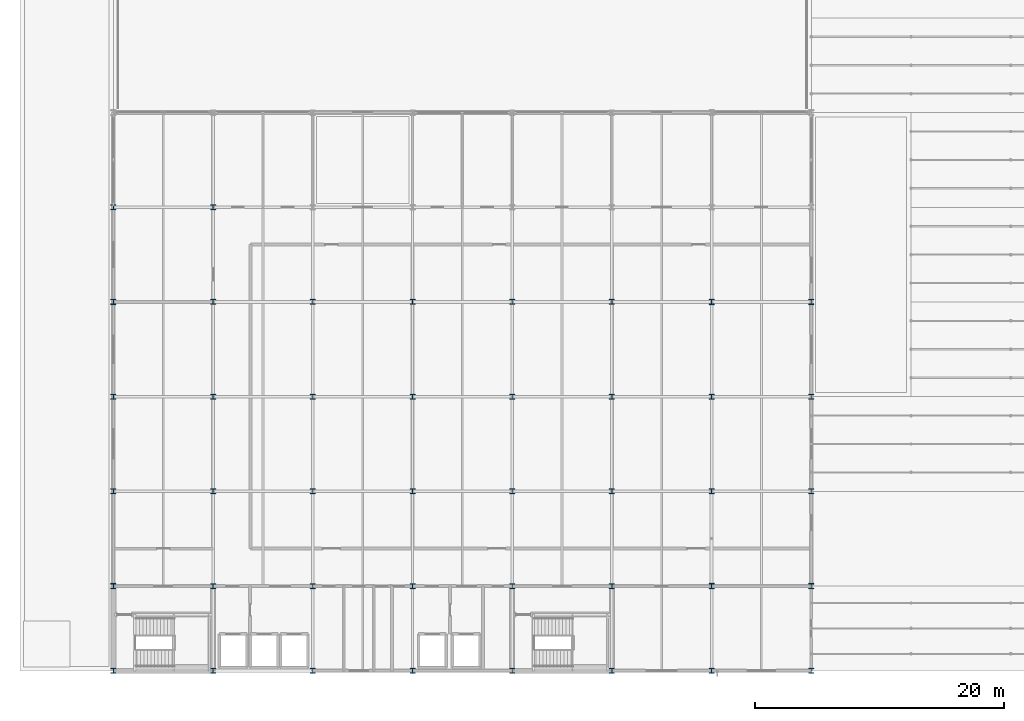
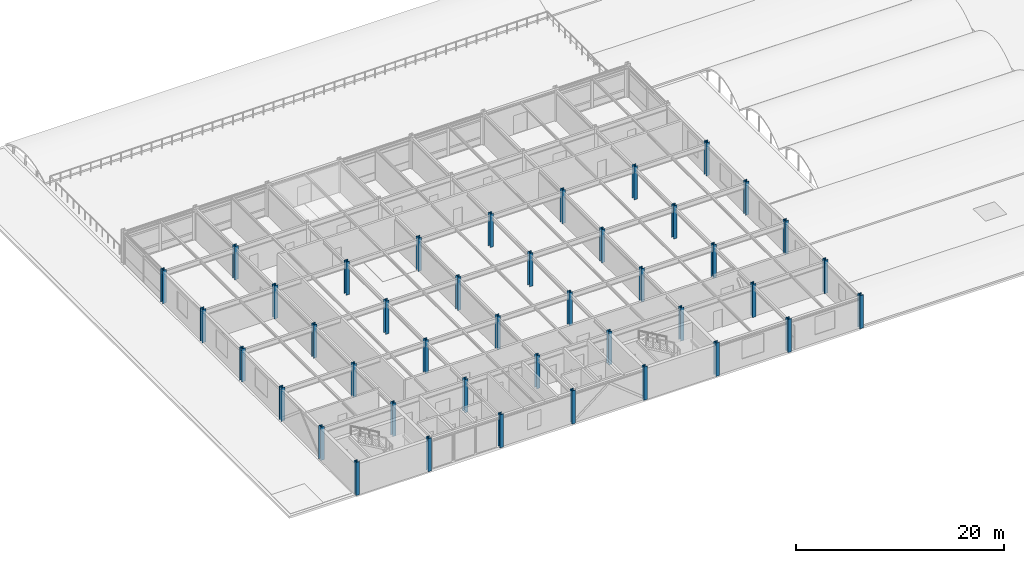
# One storey, part 1 of 46: 42 columns.
"""IFC4 building model written with IfcOpenShell, lengths in metres."""

import ifcopenshell
import ifcopenshell.guid

model = None  # the IFC model being written
_history = None  # IfcOwnerHistory: only IFC2X3 demands one
_inside = {}  # id of a spatial element -> (the spatial element, [elements in it])
_under = {}  # id of a project, library or spatial element -> (it, [spatial elements below it])
_declared = {}  # id of a project -> (the project, [libraries it declares])
_typed = {}  # id of a type object -> (the type object, [elements of that type])
_made_of = {}  # id of a material, layer set ... -> (it, [elements and type objects made of it])


def new_model(schema):
    """Start an empty IFC model of exactly this schema.

    Asked for "IFC4X3", IfcOpenShell would pick the latest addendum, in which some entities
    have other attributes; the version numbers below select the first issue.
    IFC2X3 requires an IfcOwnerHistory on every rooted entity: one is made here for all.
    """
    global model, _history
    if schema == "IFC4X3":
        model = ifcopenshell.file(schema_version=(4, 3, 0, 0))
    else:
        model = ifcopenshell.file(schema=schema)
    _inside.clear()
    _under.clear()
    _declared.clear()
    _typed.clear()
    _made_of.clear()
    _history = None
    if model.schema == "IFC2X3":
        org = make("IfcOrganization", Name="unknown")
        user = make(
            "IfcPersonAndOrganization",
            ThePerson=make("IfcPerson", FamilyName="unknown"),
            TheOrganization=org,
        )
        app = make(
            "IfcApplication",
            ApplicationDeveloper=org,
            Version="unknown",
            ApplicationFullName="unknown",
            ApplicationIdentifier="unknown",
        )
        _history = make(
            "IfcOwnerHistory",
            OwningUser=user,
            OwningApplication=app,
            ChangeAction="ADDED",
            CreationDate=0,
        )
    return model


def make(cls, **values):
    """One entity of the class cls with the attributes given. An attribute that is None is left unset."""
    return model.create_entity(
        cls, **{name: value for name, value in values.items() if value is not None}
    )


def rooted(cls, **values):
    """An entity with a GlobalId (a new one), such as an element, a storey or a relation."""
    return make(cls, GlobalId=ifcopenshell.guid.new(), OwnerHistory=_history, **values)


def si_unit(unit_type, name, prefix=None):
    """IfcSIUnit, for example si_unit("LENGTHUNIT", "METRE", prefix="MILLI")."""
    return make("IfcSIUnit", UnitType=unit_type, Prefix=prefix, Name=name)


def assignment(units):
    """IfcUnitAssignment: the units of a project."""
    return None if units is None else make("IfcUnitAssignment", Units=units)


def point(xyz):
    """IfcCartesianPoint."""
    return None if xyz is None else make("IfcCartesianPoint", Coordinates=xyz)


def direction(xyz):
    """IfcDirection."""
    return None if xyz is None else make("IfcDirection", DirectionRatios=xyz)


def frame(location, z_axis=None, x_axis=None):
    """IfcAxis2Placement3D, a coordinate frame: its origin and axes. An axis left out is left unset."""
    return make(
        "IfcAxis2Placement3D",
        Location=point(location),
        Axis=direction(z_axis),
        RefDirection=direction(x_axis),
    )


def frame_2d(location, x_axis=None):
    """IfcAxis2Placement2D, a coordinate frame in the plane: its origin and x axis."""
    return make(
        "IfcAxis2Placement2D", Location=point(location), RefDirection=direction(x_axis)
    )


def origin():
    """The frame at (0, 0, 0) with its axes left unset."""
    return frame((0.0, 0.0, 0.0))


def origin_2d():
    """The frame at (0, 0) in the plane with its x axis left unset."""
    return frame_2d((0.0, 0.0))


def place(relative_to, where):
    """IfcLocalPlacement: puts the frame where relative to a parent placement (None: the world)."""
    return make(
        "IfcLocalPlacement", PlacementRelTo=relative_to, RelativePlacement=where
    )


def context(
    kind, dimensions, precision=None, world=None, true_north=None, identifier=None
):
    """IfcGeometricRepresentationContext, for example the 3D "Model" context."""
    return make(
        "IfcGeometricRepresentationContext",
        ContextIdentifier=identifier,
        ContextType=kind,
        CoordinateSpaceDimension=dimensions,
        Precision=precision,
        WorldCoordinateSystem=world,
        TrueNorth=true_north,
    )


def subcontext(parent, identifier, kind, view, scale=None):
    """IfcGeometricRepresentationSubContext, for example "Body" below "Model"."""
    return make(
        "IfcGeometricRepresentationSubContext",
        ContextIdentifier=identifier,
        ContextType=kind,
        ParentContext=parent,
        TargetScale=scale,
        TargetView=view,
    )


def project(units=None, contexts=None):
    """IfcProject with its units and contexts."""
    return rooted(
        "IfcProject",
        Name="project",
        RepresentationContexts=contexts,
        UnitsInContext=assignment(units),
    )


def spatial(cls, under=None, at=None, **own):
    """A site, building, storey or space (cls), placed at a placement, below another one or the project."""
    s = rooted(cls, ObjectPlacement=at, **own)
    if under is not None:
        _under.setdefault(under.id(), (under, []))[1].append(s)
    return s


def profile(cls, at=None, kind="AREA", **sizes):
    """A parametric profile (cls). Its sizes go by their IFC names, for example OverallWidth=200.0."""
    return make(cls, ProfileType=kind, Position=at, **sizes)


def i_section(**sizes):
    """IfcIShapeProfileDef."""
    return profile("IfcIShapeProfileDef", **sizes)


def extrude(swept, where, along, depth):
    """IfcExtrudedAreaSolid: the profile swept, set in the frame where, extruded along a direction by depth."""
    return make(
        "IfcExtrudedAreaSolid",
        SweptArea=swept,
        Position=where,
        ExtrudedDirection=direction(along),
        Depth=depth,
    )


def shape(context_of_items, identifier, shape_type, items):
    """IfcShapeRepresentation: the items that make up one representation, for example the "Body"."""
    return make(
        "IfcShapeRepresentation",
        ContextOfItems=context_of_items,
        RepresentationIdentifier=identifier,
        RepresentationType=shape_type,
        Items=items,
    )


def material(Name=None, Category=None):
    """IfcMaterial."""
    return make("IfcMaterial", Name=Name, Category=Category)


def material_profile(
    of_material, cross_section, Name=None, Category=None, Priority=None
):
    """IfcMaterialProfile: a cross section and its material."""
    return make(
        "IfcMaterialProfile",
        Name=Name,
        Material=of_material,
        Profile=cross_section,
        Priority=Priority,
        Category=Category,
    )


def profile_set(profiles, Name=None, composite=None):
    """IfcMaterialProfileSet."""
    return make(
        "IfcMaterialProfileSet",
        Name=Name,
        MaterialProfiles=profiles,
        CompositeProfile=composite,
    )


def made_of(thing, what):
    """Note that an element or type object is made of a material, layer set ...; save() writes the relation."""
    if what is not None:
        _made_of.setdefault(what.id(), (what, []))[1].append(thing)
    return thing


def type_object(cls, material=None, **own):
    """A type object (cls), such as IfcWallType, which elements share."""
    return made_of(rooted(cls, **own), material)


def element(
    cls,
    number,
    at=None,
    inside=None,
    cuts=None,
    type_object=None,
    material=None,
    context=None,
    identifier="Body",
    shape_type=None,
    held_by="IfcProductDefinitionShape",
    body=None,
    shapes=None,
    **own,
):
    """One element of the class cls, such as IfcWall. Its Tag is "e" and its number.

    at: its placement. inside: the storey or other place that contains it. cuts: it is an
    opening in that element (IfcRelVoidsElement). A single representation is given by context,
    identifier, shape_type and body (its items); several are given by shapes. held_by: the class
    of the entity that holds the representations. save() writes the other relations.
    """
    e = rooted(cls, Tag="e%d" % number, ObjectPlacement=at, **own)
    if body is not None:
        shapes = [shape(context, identifier, shape_type, body)]
    if shapes is not None:
        e.Representation = make(held_by, Representations=shapes)
    if inside is not None:
        _inside.setdefault(inside.id(), (inside, []))[1].append(e)
    if cuts is not None:
        rooted(
            "IfcRelVoidsElement", RelatingBuildingElement=cuts, RelatedOpeningElement=e
        )
    if type_object is not None:
        _typed.setdefault(type_object.id(), (type_object, []))[1].append(e)
    return made_of(e, material)


def aggregate(whole, parts):
    """IfcRelAggregates: a whole, such as a stair, and the parts it consists of."""
    return rooted("IfcRelAggregates", RelatingObject=whole, RelatedObjects=parts)


def save(model, path):
    """Write the relations noted so far, then the file.

    IfcRelAggregates (storeys below a building ...), IfcRelContainedInSpatialStructure (elements
    in a storey), IfcRelDefinesByType, IfcRelAssociatesMaterial and IfcRelDeclares: one each for
    every whole, place, type object, material and project.
    """
    for whole, parts in _under.values():
        aggregate(whole, parts)
    for where, things in _inside.values():
        rooted(
            "IfcRelContainedInSpatialStructure",
            RelatedElements=things,
            RelatingStructure=where,
        )
    for kind, things in _typed.values():
        rooted("IfcRelDefinesByType", RelatedObjects=things, RelatingType=kind)
    for what, things in _made_of.values():
        rooted("IfcRelAssociatesMaterial", RelatedObjects=things, RelatingMaterial=what)
    for by, libraries in _declared.values():
        rooted("IfcRelDeclares", RelatingContext=by, RelatedDefinitions=libraries)
    model.write(path)


model = new_model("IFC4")

# Units and contexts
model_context = context("Model", 3, precision=1e-05, world=origin(), true_north=direction((0.0, 1.0)))
body_context = subcontext(model_context, "Body", "Model", "MODEL_VIEW")
ifc_project = project(units=[si_unit("LENGTHUNIT", "METRE"), si_unit("AREAUNIT", "SQUARE_METRE"), si_unit("VOLUMEUNIT", "CUBIC_METRE"), si_unit("PLANEANGLEUNIT", "RADIAN"), si_unit("MASSUNIT", "GRAM", prefix="KILO")], contexts=[model_context])

# Site, building, storey
site_placement = place(None, origin())
site = spatial("IfcSite", under=ifc_project, at=site_placement, CompositionType="ELEMENT")
building_placement = place(site_placement, origin())
building = spatial("IfcBuilding", under=site, at=building_placement, Name="Shalkamar Park Central Library", CompositionType="ELEMENT")
storey_placement = place(building_placement, frame((0.0, 0.0, 20.39990234375)))
storey = spatial("IfcBuildingStorey", under=building, at=storey_placement, Name="L05", CompositionType="ELEMENT", Elevation=20.39990234375)

# Columns
ifc_material = material(Name="Steel S355", Category="steel")
ifc_material_profile_1 = material_profile(ifc_material, i_section(OverallWidth=0.40087890625, OverallDepth=0.39892578125, WebThickness=0.02490234375, FlangeThickness=0.03955078125, FilletRadius=0.014892578125, at=origin_2d()), Name="HD 400x314")
ifc_profile_set_1 = profile_set([ifc_material_profile_1], Name="Steel S355")
column_type_1 = type_object("IfcColumnType", Name="Column Steel HD400x314", PredefinedType="COLUMN", material=ifc_profile_set_1)
for number, where, z_axis, x_axis, name in (
    (1, (173.0, 248.39990234375, 0.0), (0.0, 0.0, 1.0), (1.0, 0.0, 0.0), "Column 08/B (L05)"),
    (2, (173.0, 255.199951171875, 0.0), (0.0, 0.0, 1.0), (1.0, 0.0, 0.0), "Column 08/C (L05)"),
    (3, (173.0, 262.800048828125, 0.0), (0.0, 0.0, 1.0), (1.0, 0.0, 0.0), "Column 08/D (L05)"),
    (4, (173.0, 270.39990234375, 0.0), (0.0, 0.0, 1.0), (1.0, 0.0, 0.0), "Column 08/E (L05)"),
    (5, (173.0, 278.0, 0.0), (0.0, 0.0, 1.0), (1.0, 0.0, 0.0), "Column 08/F (L05)"),
    (6, (173.0, 285.60009765625, 0.0), (0.0, 0.0, 1.0), (1.0, 0.0, 0.0), "Column 08/G (L05)"),
    (7, (181.0, 248.39990234375, 0.0), (0.0, 0.0, 1.0), (1.0, 0.0, 0.0), "Column 09/B (L05)"),
    (8, (181.0, 255.199951171875, 0.0), (0.0, 0.0, 1.0), (1.0, 0.0, 0.0), "Column 09/C (L05)"),
    (9, (181.0, 262.800048828125, 0.0), (0.0, 0.0, 1.0), (1.0, 0.0, 0.0), "Column 09/D (L05)"),
    (10, (181.0, 270.39990234375, 0.0), (0.0, 0.0, 1.0), (1.0, 0.0, 0.0), "Column 09/E (L05)"),
    (11, (181.0, 278.0, 0.0), (0.0, 0.0, 1.0), (1.0, 0.0, 0.0), "Column 09/F (L05)"),
    (12, (189.0, 248.39990234375, 0.0), (0.0, 0.0, 1.0), (1.0, 0.0, 0.0), "Column 10/B (L05)"),
    (13, (189.0, 255.199951171875, 0.0), (0.0, 0.0, 1.0), (1.0, 0.0, 0.0), "Column 10/C (L05)"),
    (14, (189.0, 262.800048828125, 0.0), (0.0, 0.0, 1.0), (1.0, 0.0, 0.0), "Column 10/D (L05)"),
    (15, (189.0, 270.39990234375, 0.0), (0.0, 0.0, 1.0), (1.0, 0.0, 0.0), "Column 10/E (L05)"),
    (16, (189.0, 278.0, 0.0), (0.0, 0.0, 1.0), (1.0, 0.0, 0.0), "Column 10/F (L05)"),
    (17, (197.0, 248.39990234375, 0.0), (0.0, 0.0, 1.0), (1.0, 0.0, 0.0), "Column 11/B (L05)"),
    (18, (197.0, 255.199951171875, 0.0), (0.0, 0.0, 1.0), (1.0, 0.0, 0.0), "Column 11/C (L05)"),
    (19, (197.0, 262.800048828125, 0.0), (0.0, 0.0, 1.0), (1.0, 0.0, 0.0), "Column 11/D (L05)"),
    (20, (197.0, 270.39990234375, 0.0), (0.0, 0.0, 1.0), (1.0, 0.0, 0.0), "Column 11/E (L05)"),
    (21, (197.0, 278.0, 0.0), (0.0, 0.0, 1.0), (1.0, 0.0, 0.0), "Column 11/F (L05)"),
    (22, (205.0, 248.39990234375, 0.0), (0.0, 0.0, 1.0), (1.0, 0.0, 0.0), "Column 12/B (L05)"),
    (23, (205.0, 255.199951171875, 0.0), (0.0, 0.0, 1.0), (1.0, 0.0, 0.0), "Column 12/C (L05)"),
    (24, (205.0, 262.800048828125, 0.0), (0.0, 0.0, 1.0), (1.0, 0.0, 0.0), "Column 12/D (L05)"),
    (25, (205.0, 270.39990234375, 0.0), (0.0, 0.0, 1.0), (1.0, 0.0, 0.0), "Column 12/E (L05)"),
    (26, (205.0, 278.0, 0.0), (0.0, 0.0, 1.0), (1.0, 0.0, 0.0), "Column 12/F (L05)"),
):
    element("IfcColumn", number, at=place(storey_placement, frame(where, z_axis=z_axis, x_axis=x_axis)), inside=storey, type_object=column_type_1, Name=name, PredefinedType="COLUMN", context=body_context, shape_type="SweptSolid", body=[
        extrude(i_section(OverallWidth=0.40087890625, OverallDepth=0.39892578125, WebThickness=0.02490234375, FlangeThickness=0.03955078125, FilletRadius=0.014892578125, at=origin_2d()), origin(), (0.0, 0.0, 1.0), 3.900146484375),
    ])
ifc_material_profile_2 = material_profile(ifc_material, i_section(OverallWidth=0.406005859375, OverallDepth=0.416015625, WebThickness=0.02978515625, FlangeThickness=0.048095703125, FilletRadius=0.014892578125, at=origin_2d()), Name="HD 400x382")
ifc_profile_set_2 = profile_set([ifc_material_profile_2], Name="Steel S355")
column_type_2 = type_object("IfcColumnType", Name="Column Steel HD400x382", PredefinedType="COLUMN", material=ifc_profile_set_2)
for number, where, z_axis, x_axis, name in (
    (27, (165.0, 248.39990234375, 0.0), (0.0, 0.0, 1.0), (1.0, 0.0, 0.0), "Column 07/B (L05)"),
    (28, (165.0, 255.199951171875, 0.0), (0.0, 0.0, 1.0), (1.0, 0.0, 0.0), "Column 07/C (L05)"),
    (29, (165.0, 262.800048828125, 0.0), (0.0, 0.0, 1.0), (1.0, 0.0, 0.0), "Column 07/D (L05)"),
    (30, (165.0, 270.39990234375, 0.0), (0.0, 0.0, 1.0), (1.0, 0.0, 0.0), "Column 07/E (L05)"),
    (31, (165.0, 278.0, 0.0), (0.0, 0.0, 1.0), (1.0, 0.0, 0.0), "Column 07/F (L05)"),
    (32, (165.0, 285.60009765625, 0.0), (0.0, 0.0, 1.0), (1.0, 0.0, 0.0), "Column 07/G (L05)"),
    (33, (213.0, 248.39990234375, 0.0), (0.0, 0.0, 1.0), (1.0, 0.0, 0.0), "Column 13/B (L05)"),
    (34, (213.0, 255.199951171875, 0.0), (0.0, 0.0, 1.0), (1.0, 0.0, 0.0), "Column 13/C (L05)"),
    (35, (213.0, 262.800048828125, 0.0), (0.0, 0.0, 1.0), (1.0, 0.0, 0.0), "Column 13/D (L05)"),
    (36, (213.0, 270.39990234375, 0.0), (0.0, 0.0, 1.0), (1.0, 0.0, 0.0), "Column 13/E (L05)"),
    (37, (213.0, 278.0, 0.0), (0.0, 0.0, 1.0), (1.0, 0.0, 0.0), "Column 13/F (L05)"),
    (38, (221.0, 248.39990234375, 0.0), (0.0, 0.0, 1.0), (1.0, 0.0, 0.0), "Column 14/B (L05)"),
    (39, (221.0, 255.199951171875, 0.0), (0.0, 0.0, 1.0), (1.0, 0.0, 0.0), "Column 14/C (L05)"),
    (40, (221.0, 262.800048828125, 0.0), (0.0, 0.0, 1.0), (1.0, 0.0, 0.0), "Column 14/D (L05)"),
    (41, (221.0, 270.39990234375, 0.0), (0.0, 0.0, 1.0), (1.0, 0.0, 0.0), "Column 14/E (L05)"),
    (42, (221.0, 278.0, 0.0), (0.0, 0.0, 1.0), (1.0, 0.0, 0.0), "Column 14/F (L05)"),
):
    element("IfcColumn", number, at=place(storey_placement, frame(where, z_axis=z_axis, x_axis=x_axis)), inside=storey, type_object=column_type_2, Name=name, PredefinedType="COLUMN", context=body_context, shape_type="SweptSolid", body=[
        extrude(i_section(OverallWidth=0.406005859375, OverallDepth=0.416015625, WebThickness=0.02978515625, FlangeThickness=0.048095703125, FilletRadius=0.014892578125, at=origin_2d()), origin(), (0.0, 0.0, 1.0), 3.900146484375),
    ])

save(model, "model.ifc")
